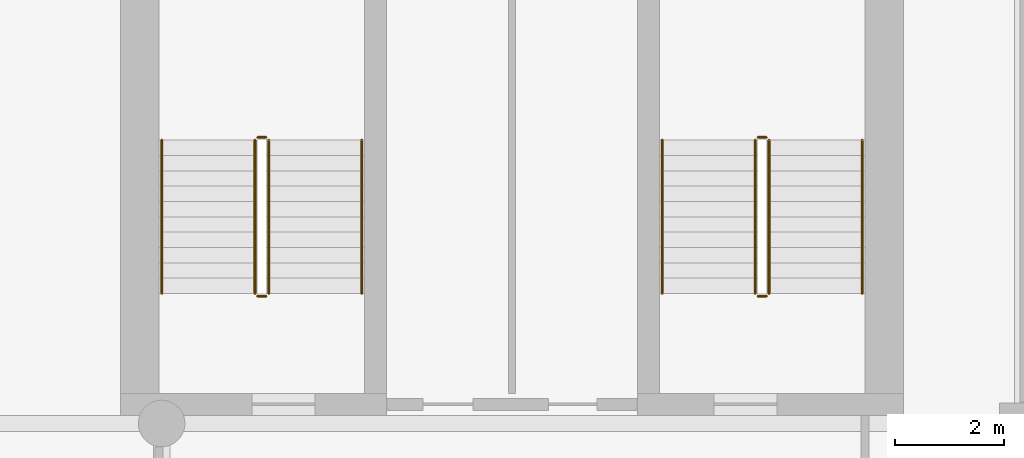
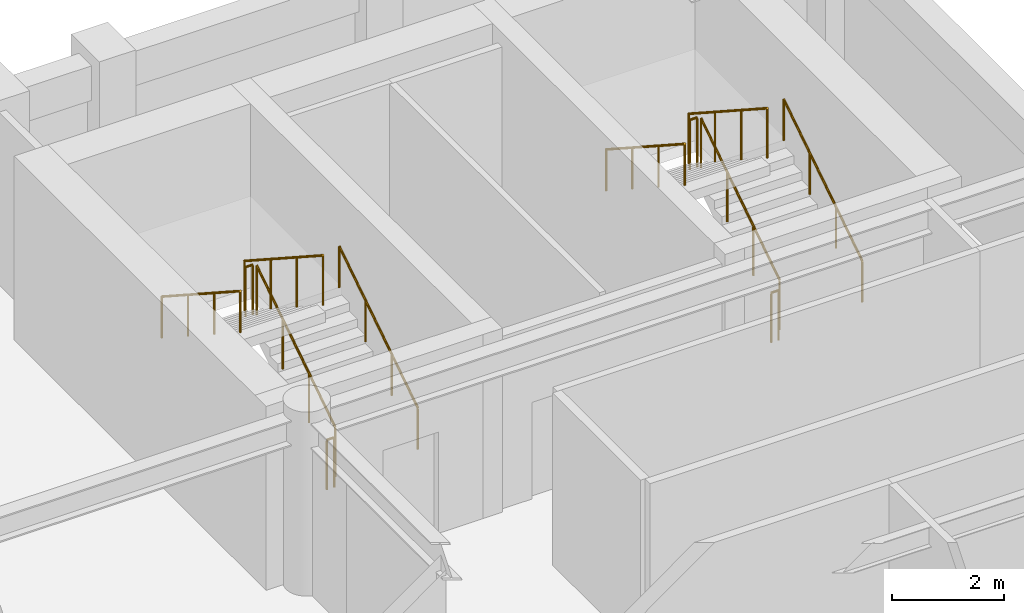
# One storey, part 8 of 8: 12 railings.
"""IFC4 building model written with IfcOpenShell, lengths in metres."""

from ifc_helpers import new_model, si_unit, direction, frame, origin, origin_2d, place, context, subcontext, project, spatial, circle, extrude, material, type_object, element, save


model = new_model("IFC4")

# Units and contexts
model_context = context("Model", 3, precision=1e-05, world=origin(), true_north=direction((0.0, 1.0)))
body_context = subcontext(model_context, "Body", "Model", "MODEL_VIEW")
ifc_project = project(units=[si_unit("LENGTHUNIT", "METRE"), si_unit("AREAUNIT", "SQUARE_METRE"), si_unit("VOLUMEUNIT", "CUBIC_METRE"), si_unit("PLANEANGLEUNIT", "RADIAN"), si_unit("MASSUNIT", "GRAM", prefix="KILO")], contexts=[model_context])

# Site, building, storey
site_placement = place(None, origin())
site = spatial("IfcSite", under=ifc_project, at=site_placement, CompositionType="ELEMENT")
building_placement = place(site_placement, origin())
building = spatial("IfcBuilding", under=site, at=building_placement, Name="Sulina Concourse Tower", CompositionType="ELEMENT")
storey_placement = place(building_placement, frame((0.0, 0.0, 260.60009765625)))
storey = spatial("IfcBuildingStorey", under=building, at=storey_placement, Name="L63", CompositionType="ELEMENT", Elevation=260.60009765625)

# Railings
ifc_material_1 = material(Name="Galvanised steel railing", Category="steel")
railing_type_1 = type_object("IfcRailingType", Name="Core Stair Steel Guardrail 1150mm", PredefinedType="GUARDRAIL", material=ifc_material_1)
railing_1_placement = place(storey_placement, frame((43.554931640625, 36.375, 0.181640625)))
element("IfcRailing", 1, at=railing_1_placement, inside=storey, type_object=railing_type_1, Name="L63 ST-3 stair guard 1", PredefinedType="GUARDRAIL", context=body_context, shape_type="SweptSolid", body=[
    extrude(circle(Radius=0.02392578125, at=origin_2d()), frame((0.0, 0.0, 1.076171875), z_axis=(0.0, 0.838672427954, 0.544636170843), x_axis=(-1.0, 0.0, 0.0)), (0.0, 0.0, 1.0), 3.338623046875),
    extrude(circle(Radius=0.02099609375, at=origin_2d()), origin(), (0.0, 0.0, 1.0), 1.052001953125),
    extrude(circle(Radius=0.02099609375, at=origin_2d()), frame((0.0, 0.933349609375, 0.606201171875)), (0.0, 0.0, 1.0), 1.052001953125),
    extrude(circle(Radius=0.02099609375, at=origin_2d()), frame((0.0, 1.86669921875, 1.212158203125)), (0.0, 0.0, 1.0), 1.052001953125),
    extrude(circle(Radius=0.02099609375, at=origin_2d()), frame((0.0, 2.800048828125, 1.818359375)), (0.0, 0.0, 1.0), 1.052001953125),
])
railing_2_placement = place(storey_placement, frame((43.5048828125, 39.22509765625, 2.0)))
element("IfcRailing", 2, at=railing_2_placement, inside=storey, type_object=railing_type_1, Name="L63 ST-3 stair guard 2", PredefinedType="GUARDRAIL", context=body_context, shape_type="SweptSolid", body=[
    extrude(circle(Radius=0.02392578125, at=origin_2d()), frame((0.0, 0.0, 1.076171875), z_axis=(-1.0, 0.0, 0.0), x_axis=(0.0, -1.0, 0.0)), (0.0, 0.0, 1.0), 0.14990234375),
    extrude(circle(Radius=0.02099609375, at=origin_2d()), origin(), (0.0, 0.0, 1.0), 1.052001953125),
    extrude(circle(Radius=0.02099609375, at=origin_2d()), frame((-0.14990234375, 0.0, 0.0)), (0.0, 0.0, 1.0), 1.052001953125),
])
railing_3_placement = place(storey_placement, frame((43.304931640625, 39.175048828125, 2.181640625)))
element("IfcRailing", 3, at=railing_3_placement, inside=storey, type_object=railing_type_1, Name="L63 ST-3 stair guard 3", PredefinedType="GUARDRAIL", context=body_context, shape_type="SweptSolid", body=[
    extrude(circle(Radius=0.02392578125, at=origin_2d()), frame((0.0, 0.0, 1.076171875), z_axis=(0.0, -0.838672427954, 0.544636170843), x_axis=(1.0, 0.0, 0.0)), (0.0, 0.0, 1.0), 3.338623046875),
    extrude(circle(Radius=0.02099609375, at=origin_2d()), origin(), (0.0, 0.0, 1.0), 1.052001953125),
    extrude(circle(Radius=0.02099609375, at=origin_2d()), frame((0.0, -0.933349609375, 0.606201171875)), (0.0, 0.0, 1.0), 1.052001953125),
    extrude(circle(Radius=0.02099609375, at=origin_2d()), frame((0.0, -1.86669921875, 1.212158203125)), (0.0, 0.0, 1.0), 1.052001953125),
    extrude(circle(Radius=0.02099609375, at=origin_2d()), frame((0.0, -2.800048828125, 1.818359375)), (0.0, 0.0, 1.0), 1.052001953125),
])
railing_4_placement = place(storey_placement, frame((43.5048828125, 36.324951171875, 0.0)))
element("IfcRailing", 4, at=railing_4_placement, inside=storey, type_object=railing_type_1, Name="L63 ST-3 stair guard 4", PredefinedType="GUARDRAIL", context=body_context, shape_type="SweptSolid", body=[
    extrude(circle(Radius=0.02392578125, at=origin_2d()), frame((0.0, 0.0, 1.076171875), z_axis=(-1.0, 0.0, 0.0), x_axis=(0.0, -1.0, 0.0)), (0.0, 0.0, 1.0), 0.14990234375),
    extrude(circle(Radius=0.02099609375, at=origin_2d()), origin(), (0.0, 0.0, 1.0), 1.052001953125),
    extrude(circle(Radius=0.02099609375, at=origin_2d()), frame((-0.14990234375, 0.0, 0.0)), (0.0, 0.0, 1.0), 1.052001953125),
])
railing_5_placement = place(storey_placement, frame((52.695068359375, 36.375, 0.181640625)))
element("IfcRailing", 5, at=railing_5_placement, inside=storey, type_object=railing_type_1, Name="L63 ST-4 stair guard 1", PredefinedType="GUARDRAIL", context=body_context, shape_type="SweptSolid", body=[
    extrude(circle(Radius=0.02392578125, at=origin_2d()), frame((0.0, 0.0, 1.076171875), z_axis=(0.0, 0.838672427954, 0.544636170843), x_axis=(-1.0, 0.0, 0.0)), (0.0, 0.0, 1.0), 3.338623046875),
    extrude(circle(Radius=0.02099609375, at=origin_2d()), origin(), (0.0, 0.0, 1.0), 1.052001953125),
    extrude(circle(Radius=0.02099609375, at=origin_2d()), frame((0.0, 0.933349609375, 0.606201171875)), (0.0, 0.0, 1.0), 1.052001953125),
    extrude(circle(Radius=0.02099609375, at=origin_2d()), frame((0.0, 1.86669921875, 1.212158203125)), (0.0, 0.0, 1.0), 1.052001953125),
    extrude(circle(Radius=0.02099609375, at=origin_2d()), frame((0.0, 2.800048828125, 1.818359375)), (0.0, 0.0, 1.0), 1.052001953125),
])
railing_6_placement = place(storey_placement, frame((52.64501953125, 39.22509765625, 2.0)))
element("IfcRailing", 6, at=railing_6_placement, inside=storey, type_object=railing_type_1, Name="L63 ST-4 stair guard 2", PredefinedType="GUARDRAIL", context=body_context, shape_type="SweptSolid", body=[
    extrude(circle(Radius=0.02392578125, at=origin_2d()), frame((0.0, 0.0, 1.076171875), z_axis=(-1.0, 0.0, 0.0), x_axis=(0.0, -1.0, 0.0)), (0.0, 0.0, 1.0), 0.14990234375),
    extrude(circle(Radius=0.02099609375, at=origin_2d()), origin(), (0.0, 0.0, 1.0), 1.052001953125),
    extrude(circle(Radius=0.02099609375, at=origin_2d()), frame((-0.14990234375, 0.0, 0.0)), (0.0, 0.0, 1.0), 1.052001953125),
])
railing_7_placement = place(storey_placement, frame((52.445068359375, 39.175048828125, 2.181640625)))
element("IfcRailing", 7, at=railing_7_placement, inside=storey, type_object=railing_type_1, Name="L63 ST-4 stair guard 3", PredefinedType="GUARDRAIL", context=body_context, shape_type="SweptSolid", body=[
    extrude(circle(Radius=0.02392578125, at=origin_2d()), frame((0.0, 0.0, 1.076171875), z_axis=(0.0, -0.838672427954, 0.544636170843), x_axis=(1.0, 0.0, 0.0)), (0.0, 0.0, 1.0), 3.338623046875),
    extrude(circle(Radius=0.02099609375, at=origin_2d()), origin(), (0.0, 0.0, 1.0), 1.052001953125),
    extrude(circle(Radius=0.02099609375, at=origin_2d()), frame((0.0, -0.933349609375, 0.606201171875)), (0.0, 0.0, 1.0), 1.052001953125),
    extrude(circle(Radius=0.02099609375, at=origin_2d()), frame((0.0, -1.86669921875, 1.212158203125)), (0.0, 0.0, 1.0), 1.052001953125),
    extrude(circle(Radius=0.02099609375, at=origin_2d()), frame((0.0, -2.800048828125, 1.818359375)), (0.0, 0.0, 1.0), 1.052001953125),
])
railing_8_placement = place(storey_placement, frame((52.64501953125, 36.324951171875, 0.0)))
element("IfcRailing", 8, at=railing_8_placement, inside=storey, type_object=railing_type_1, Name="L63 ST-4 stair guard 4", PredefinedType="GUARDRAIL", context=body_context, shape_type="SweptSolid", body=[
    extrude(circle(Radius=0.02392578125, at=origin_2d()), frame((0.0, 0.0, 1.076171875), z_axis=(-1.0, 0.0, 0.0), x_axis=(0.0, -1.0, 0.0)), (0.0, 0.0, 1.0), 0.14990234375),
    extrude(circle(Radius=0.02099609375, at=origin_2d()), origin(), (0.0, 0.0, 1.0), 1.052001953125),
    extrude(circle(Radius=0.02099609375, at=origin_2d()), frame((-0.14990234375, 0.0, 0.0)), (0.0, 0.0, 1.0), 1.052001953125),
])
ifc_material_2 = material(Name="Galvanised steel railing", Category="steel")
railing_type_2 = type_object("IfcRailingType", Name="Stair Wall Steel Handrail 920mm", PredefinedType="HANDRAIL", material=ifc_material_2)
railing_9_placement = place(storey_placement, frame((45.2548828125, 36.375, 0.181640625)))
element("IfcRailing", 9, at=railing_9_placement, inside=storey, type_object=railing_type_2, Name="L63 ST-3 stair handrail 1", PredefinedType="HANDRAIL", context=body_context, shape_type="SweptSolid", body=[
    extrude(circle(Radius=0.02392578125, at=origin_2d()), frame((0.0, 0.0, 0.89599609375), z_axis=(0.0, 0.838672427954, 0.544636170843), x_axis=(-1.0, 0.0, 0.0)), (0.0, 0.0, 1.0), 3.338623046875),
    extrude(circle(Radius=0.02099609375, at=origin_2d()), origin(), (0.0, 0.0, 1.0), 0.871826171875),
    extrude(circle(Radius=0.02099609375, at=origin_2d()), frame((0.0, 0.933349609375, 0.606201171875)), (0.0, 0.0, 1.0), 0.871826171875),
    extrude(circle(Radius=0.02099609375, at=origin_2d()), frame((0.0, 1.86669921875, 1.212158203125)), (0.0, 0.0, 1.0), 0.871826171875),
    extrude(circle(Radius=0.02099609375, at=origin_2d()), frame((0.0, 2.800048828125, 1.818359375)), (0.0, 0.0, 1.0), 0.871826171875),
])
railing_10_placement = place(storey_placement, frame((41.60498046875, 39.175048828125, 2.181640625)))
element("IfcRailing", 10, at=railing_10_placement, inside=storey, type_object=railing_type_2, Name="L63 ST-3 stair handrail 2", PredefinedType="HANDRAIL", context=body_context, shape_type="SweptSolid", body=[
    extrude(circle(Radius=0.02392578125, at=origin_2d()), frame((0.0, 0.0, 0.89599609375), z_axis=(0.0, -0.838672427954, 0.544636170843), x_axis=(1.0, 0.0, 0.0)), (0.0, 0.0, 1.0), 3.338623046875),
    extrude(circle(Radius=0.02099609375, at=origin_2d()), origin(), (0.0, 0.0, 1.0), 0.871826171875),
    extrude(circle(Radius=0.02099609375, at=origin_2d()), frame((0.0, -0.933349609375, 0.606201171875)), (0.0, 0.0, 1.0), 0.871826171875),
    extrude(circle(Radius=0.02099609375, at=origin_2d()), frame((0.0, -1.86669921875, 1.212158203125)), (0.0, 0.0, 1.0), 0.871826171875),
    extrude(circle(Radius=0.02099609375, at=origin_2d()), frame((0.0, -2.800048828125, 1.818359375)), (0.0, 0.0, 1.0), 0.871826171875),
])
railing_11_placement = place(storey_placement, frame((54.39501953125, 36.375, 0.181640625)))
element("IfcRailing", 11, at=railing_11_placement, inside=storey, type_object=railing_type_2, Name="L63 ST-4 stair handrail 1", PredefinedType="HANDRAIL", context=body_context, shape_type="SweptSolid", body=[
    extrude(circle(Radius=0.02392578125, at=origin_2d()), frame((0.0, 0.0, 0.89599609375), z_axis=(0.0, 0.838672427954, 0.544636170843), x_axis=(-1.0, 0.0, 0.0)), (0.0, 0.0, 1.0), 3.338623046875),
    extrude(circle(Radius=0.02099609375, at=origin_2d()), origin(), (0.0, 0.0, 1.0), 0.871826171875),
    extrude(circle(Radius=0.02099609375, at=origin_2d()), frame((0.0, 0.933349609375, 0.606201171875)), (0.0, 0.0, 1.0), 0.871826171875),
    extrude(circle(Radius=0.02099609375, at=origin_2d()), frame((0.0, 1.86669921875, 1.212158203125)), (0.0, 0.0, 1.0), 0.871826171875),
    extrude(circle(Radius=0.02099609375, at=origin_2d()), frame((0.0, 2.800048828125, 1.818359375)), (0.0, 0.0, 1.0), 0.871826171875),
])
railing_12_placement = place(storey_placement, frame((50.7451171875, 39.175048828125, 2.181640625)))
element("IfcRailing", 12, at=railing_12_placement, inside=storey, type_object=railing_type_2, Name="L63 ST-4 stair handrail 2", PredefinedType="HANDRAIL", context=body_context, shape_type="SweptSolid", body=[
    extrude(circle(Radius=0.02392578125, at=origin_2d()), frame((0.0, 0.0, 0.89599609375), z_axis=(0.0, -0.838672427954, 0.544636170843), x_axis=(1.0, 0.0, 0.0)), (0.0, 0.0, 1.0), 3.338623046875),
    extrude(circle(Radius=0.02099609375, at=origin_2d()), origin(), (0.0, 0.0, 1.0), 0.871826171875),
    extrude(circle(Radius=0.02099609375, at=origin_2d()), frame((0.0, -0.933349609375, 0.606201171875)), (0.0, 0.0, 1.0), 0.871826171875),
    extrude(circle(Radius=0.02099609375, at=origin_2d()), frame((0.0, -1.86669921875, 1.212158203125)), (0.0, 0.0, 1.0), 0.871826171875),
    extrude(circle(Radius=0.02099609375, at=origin_2d()), frame((0.0, -2.800048828125, 1.818359375)), (0.0, 0.0, 1.0), 0.871826171875),
])

save(model, "model.ifc")
